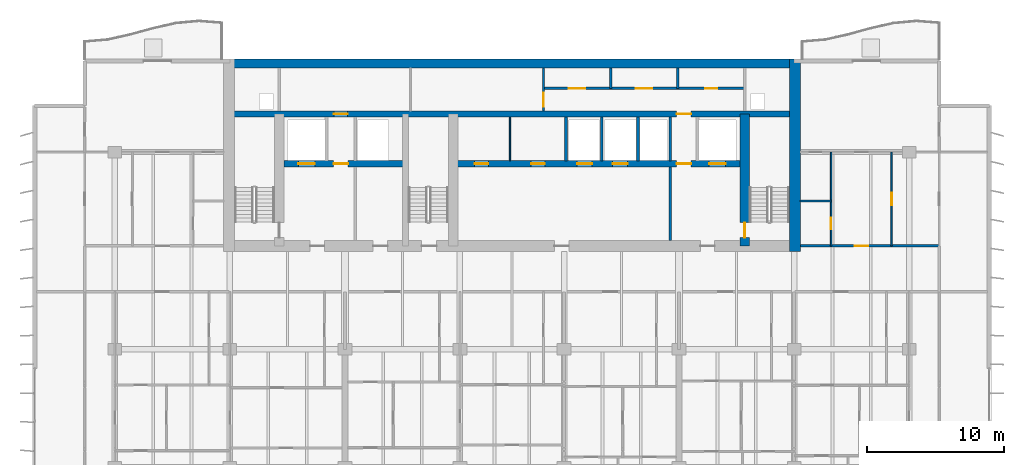
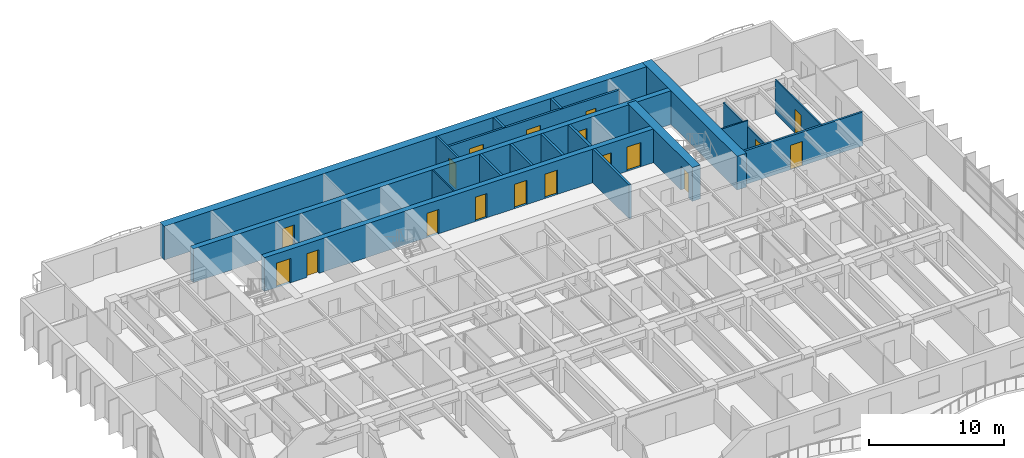
# One storey, part 13 of 20: 19 walls, 18 doors, 18 openings.
"""IFC4 building model written with IfcOpenShell, lengths in metres."""

from ifc_helpers import new_model, si_unit, direction, frame, frame_2d, origin, place, context, subcontext, project, spatial, rectangle, extrude, material, layer, layer_set, type_object, element, fill, save


model = new_model("IFC4")

# Units and contexts
model_context = context("Model", 3, precision=1e-05, world=origin(), true_north=direction((0.0, 1.0)))
body_context = subcontext(model_context, "Body", "Model", "MODEL_VIEW")
ifc_project = project(units=[si_unit("LENGTHUNIT", "METRE"), si_unit("AREAUNIT", "SQUARE_METRE"), si_unit("VOLUMEUNIT", "CUBIC_METRE"), si_unit("PLANEANGLEUNIT", "RADIAN"), si_unit("MASSUNIT", "GRAM", prefix="KILO")], contexts=[model_context])

# Site, building, storey
site_placement = place(None, origin())
site = spatial("IfcSite", under=ifc_project, at=site_placement, CompositionType="ELEMENT")
building_placement = place(site_placement, origin())
building = spatial("IfcBuilding", under=site, at=building_placement, Name="Caelmar Bay Residences", CompositionType="ELEMENT")
storey_placement = place(building_placement, frame((0.0, 0.0, 119.10009765625)))
storey = spatial("IfcBuildingStorey", under=building, at=storey_placement, Name="L32", CompositionType="ELEMENT", Elevation=119.10009765625)

# Wall, opening, door
ifc_material_1 = material(Name="Concrete f'c 55 MPa (8,000 psi)", Category="concrete")
ifc_layer_1 = layer(ifc_material_1, 0.699951171875)
ifc_layer_set_1 = layer_set([ifc_layer_1], Name="Concrete f'c 55 MPa (8,000 psi)")
wall_type_1 = type_object("IfcWallType", Name="SW-COR-700", PredefinedType="SHEAR", material=ifc_layer_set_1)
wall_1_placement = place(storey_placement, frame((55.89990234375, 36.949951171875, 0.0), z_axis=(0.0, 0.0, 1.0), x_axis=(0.0, 1.0, 0.0)))
wall_1 = element("IfcWall", 1, at=wall_1_placement, inside=storey, type_object=wall_type_1, Name="L32 Core Structural Web Wall ST2W", PredefinedType="SHEAR", context=body_context, shape_type="SweptSolid", body=[
    extrude(rectangle(XDim=9.625, YDim=0.699951171875, at=frame_2d((4.8125, 0.0))), origin(), (0.0, 0.0, 1.0), 3.0498046875),
])
opening_1_placement = place(wall_1_placement, frame((0.60009765625, 0.0, 0.0)))
opening_1 = element("IfcOpeningElement", 2, at=opening_1_placement, cuts=wall_1, Name="Opening D-L32-110", PredefinedType="OPENING", context=body_context, shape_type="SweptSolid", body=[
    extrude(rectangle(XDim=1.10009765625, YDim=2.14990234375, at=frame_2d((0.550048828125, 1.074951171875))), frame((0.0, 0.35986328125, 0.0), z_axis=(0.0, -1.0, 0.0), x_axis=(1.0, 0.0, 0.0)), (0.0, 0.0, 1.0), 0.719970703125),
])
ifc_material_2 = material(Name="Fire-rated steel and walnut architectural door assembly", Category="steel")
ifc_layer_2 = layer(ifc_material_2, 0.050048828125)
ifc_layer_set_2 = layer_set([ifc_layer_2], Name="Fire-rated steel and walnut architectural door assembly")
door_type_1 = type_object("IfcDoorType", Name="D-STAIR-1100", OperationType="NOTDEFINED", PredefinedType="DOOR", material=ifc_layer_set_2)
door_1_placement = place(opening_1_placement, origin())
door_1 = element("IfcDoor", 3, at=door_1_placement, inside=storey, type_object=door_type_1, Name="L32 Firefighting Lobby East Door", OperationType="SINGLE_SWING_RIGHT", OverallHeight=2.14990234375, OverallWidth=1.10009765625, PredefinedType="DOOR", context=body_context, shape_type="SweptSolid", body=[
    extrude(rectangle(XDim=1.10009765625, YDim=2.14990234375, at=frame_2d((0.550048828125, 1.074951171875))), frame((0.0, 0.02490234375, 0.0), z_axis=(0.0, -1.0, 0.0), x_axis=(1.0, 0.0, 0.0)), (0.0, 0.0, 1.0), 0.050048828125),
])
fill(opening_1, door_1)

# Walls
ifc_material_3 = material(Name="Concrete f'c 70 MPa (10,000 psi)", Category="concrete")
ifc_layer_3 = layer(ifc_material_3, 0.800048828125)
ifc_layer_set_3 = layer_set([ifc_layer_3], Name="Concrete f'c 70 MPa (10,000 psi)")
wall_type_2 = type_object("IfcWallType", Name="SW-COR-800", PredefinedType="SHEAR", material=ifc_layer_set_3)
wall_2_placement = place(storey_placement, frame((59.550048828125, 36.550048828125, 0.0), z_axis=(0.0, 0.0, 1.0), x_axis=(0.0, 1.0, 0.0)))
element("IfcWall", 4, at=wall_2_placement, inside=storey, type_object=wall_type_2, Name="L32 Rear Core East Shear Wall", PredefinedType="SHEAR", context=body_context, shape_type="SweptSolid", body=[
    extrude(rectangle(XDim=14.050048828125, YDim=0.800048828125, at=frame_2d((7.02490234375, 0.0))), origin(), (0.0, 0.0, 1.0), 3.0498046875),
])
ifc_layer_4 = layer(ifc_material_1, 0.64990234375)
ifc_layer_set_4 = layer_set([ifc_layer_4], Name="Concrete f'c 55 MPa (8,000 psi)")
wall_type_3 = type_object("IfcWallType", Name="SW-CORN-650", PredefinedType="SHEAR", material=ifc_layer_set_4)
wall_3_placement = place(storey_placement, frame((17.85009765625, 50.27490234375, 0.0), z_axis=(0.0, 0.0, 1.0), x_axis=(1.0, 0.0, 0.0)))
element("IfcWall", 5, at=wall_3_placement, inside=storey, type_object=wall_type_3, Name="L32 Rear Core North Shear Wall", PredefinedType="SHEAR", context=body_context, shape_type="SweptSolid", body=[
    extrude(rectangle(XDim=42.099853515625, YDim=0.64990234375, at=frame_2d((21.0498046875, 0.0))), origin(), (0.0, 0.0, 1.0), 3.0498046875),
])

# Wall, openings, doors
ifc_layer_5 = layer(ifc_material_3, 0.449951171875)
ifc_layer_set_5 = layer_set([ifc_layer_5], Name="Concrete f'c 70 MPa (10,000 psi)")
wall_type_4 = type_object("IfcWallType", Name="SW-WEB-450", PredefinedType="SHEAR", material=ifc_layer_set_5)
wall_4_placement = place(storey_placement, frame((22.25, 42.949951171875, 0.0), z_axis=(0.0, 0.0, 1.0), x_axis=(1.0, 0.0, 0.0)))
wall_4 = element("IfcWall", 6, at=wall_4_placement, inside=storey, type_object=wall_type_4, Name="L32 Core Structural Web Wall LFR", PredefinedType="SHEAR", context=body_context, shape_type="SweptSolid", body=[
    extrude(rectangle(XDim=33.300048828125, YDim=0.449951171875, at=frame_2d((16.64990234375, 0.0))), origin(), (0.0, 0.0, 1.0), 3.0498046875),
])
opening_2_placement = place(wall_4_placement, frame((1.050048828125, 0.0, 0.0)))
opening_2 = element("IfcOpeningElement", 7, at=opening_2_placement, cuts=wall_4, Name="Opening LD2", PredefinedType="OPENING", context=body_context, shape_type="SweptSolid", body=[
    extrude(rectangle(XDim=1.199951171875, YDim=2.199951171875, at=frame_2d((0.60009765625, 1.10009765625))), frame((0.0, 0.23486328125, 0.0), z_axis=(0.0, -1.0, 0.0), x_axis=(1.0, 0.0, 0.0)), (0.0, 0.0, 1.0), 0.469970703125),
])
opening_3_placement = place(wall_4_placement, frame((31.050048828125, 0.0, 0.0)))
opening_3 = element("IfcOpeningElement", 8, at=opening_3_placement, cuts=wall_4, Name="Opening LD2", PredefinedType="OPENING", context=body_context, shape_type="SweptSolid", body=[
    extrude(rectangle(XDim=1.199951171875, YDim=2.199951171875, at=frame_2d((0.60009765625, 1.10009765625))), frame((0.0, 0.23486328125, 0.0), z_axis=(0.0, -1.0, 0.0), x_axis=(1.0, 0.0, 0.0)), (0.0, 0.0, 1.0), 0.469970703125),
])
opening_4_placement = place(wall_4_placement, frame((21.39990234375, 0.0, 0.0)))
opening_4 = element("IfcOpeningElement", 9, at=opening_4_placement, cuts=wall_4, Name="Opening LD1", PredefinedType="OPENING", context=body_context, shape_type="SweptSolid", body=[
    extrude(rectangle(XDim=1.10009765625, YDim=2.199951171875, at=frame_2d((0.550048828125, 1.10009765625))), frame((0.0, 0.23486328125, 0.0), z_axis=(0.0, -1.0, 0.0), x_axis=(1.0, 0.0, 0.0)), (0.0, 0.0, 1.0), 0.469970703125),
])
opening_5_placement = place(wall_4_placement, frame((24.0, 0.0, 0.0)))
opening_5 = element("IfcOpeningElement", 10, at=opening_5_placement, cuts=wall_4, Name="Opening LD1", PredefinedType="OPENING", context=body_context, shape_type="SweptSolid", body=[
    extrude(rectangle(XDim=1.10009765625, YDim=2.199951171875, at=frame_2d((0.550048828125, 1.10009765625))), frame((0.0, 0.23486328125, 0.0), z_axis=(0.0, -1.0, 0.0), x_axis=(1.0, 0.0, 0.0)), (0.0, 0.0, 1.0), 0.469970703125),
])
opening_6_placement = place(wall_4_placement, frame((3.625, 0.0, 0.0)))
opening_6 = element("IfcOpeningElement", 11, at=opening_6_placement, cuts=wall_4, Name="Opening D-L32-108", PredefinedType="OPENING", context=body_context, shape_type="SweptSolid", body=[
    extrude(rectangle(XDim=1.050048828125, YDim=2.14990234375, at=frame_2d((0.52490234375, 1.074951171875))), frame((0.0, 0.23486328125, 0.0), z_axis=(0.0, -1.0, 0.0), x_axis=(1.0, 0.0, 0.0)), (0.0, 0.0, 1.0), 0.469970703125),
])
opening_7_placement = place(wall_4_placement, frame((28.675048828125, 0.0, 0.0)))
opening_7 = element("IfcOpeningElement", 12, at=opening_7_placement, cuts=wall_4, Name="Opening D-L32-111", PredefinedType="OPENING", context=body_context, shape_type="SweptSolid", body=[
    extrude(rectangle(XDim=1.050048828125, YDim=2.14990234375, at=frame_2d((0.52490234375, 1.074951171875))), frame((0.0, 0.23486328125, 0.0), z_axis=(0.0, -1.0, 0.0), x_axis=(1.0, 0.0, 0.0)), (0.0, 0.0, 1.0), 0.469970703125),
])
opening_8_placement = place(wall_4_placement, frame((13.925048828125, 0.0, 0.0)))
opening_8 = element("IfcOpeningElement", 13, at=opening_8_placement, cuts=wall_4, Name="Opening D-L32-114", PredefinedType="OPENING", context=body_context, shape_type="SweptSolid", body=[
    extrude(rectangle(XDim=1.0, YDim=2.199951171875, at=frame_2d((0.5, 1.10009765625))), frame((0.0, 0.23486328125, 0.0), z_axis=(0.0, -1.0, 0.0), x_axis=(1.0, 0.0, 0.0)), (0.0, 0.0, 1.0), 0.469970703125),
])
opening_9_placement = place(wall_4_placement, frame((18.050048828125, 0.0, 0.0)))
opening_9 = element("IfcOpeningElement", 14, at=opening_9_placement, cuts=wall_4, Name="Opening D-L32-115", PredefinedType="OPENING", context=body_context, shape_type="SweptSolid", body=[
    extrude(rectangle(XDim=1.0, YDim=2.199951171875, at=frame_2d((0.5, 1.10009765625))), frame((0.0, 0.23486328125, 0.0), z_axis=(0.0, -1.0, 0.0), x_axis=(1.0, 0.0, 0.0)), (0.0, 0.0, 1.0), 0.469970703125),
])
ifc_layer_6 = layer(ifc_material_2, 0.050048828125)
ifc_layer_set_6 = layer_set([ifc_layer_6], Name="Fire-rated steel and walnut architectural door assembly")
door_type_2 = type_object("IfcDoorType", Name="D-FSAE-1050", OperationType="NOTDEFINED", PredefinedType="DOOR", material=ifc_layer_set_6)
door_2_placement = place(opening_6_placement, origin())
door_2 = element("IfcDoor", 15, at=door_2_placement, inside=storey, type_object=door_type_2, Name="L32 Firefighting Lobby West Door", OperationType="SINGLE_SWING_RIGHT", OverallHeight=2.14990234375, OverallWidth=1.050048828125, PredefinedType="DOOR", context=body_context, shape_type="SweptSolid", body=[
    extrude(rectangle(XDim=1.050048828125, YDim=2.14990234375, at=frame_2d((0.52490234375, 1.074951171875))), frame((0.0, 0.02490234375, 0.0), z_axis=(0.0, -1.0, 0.0), x_axis=(1.0, 0.0, 0.0)), (0.0, 0.0, 1.0), 0.050048828125),
])
fill(opening_6, door_2)
door_3_placement = place(opening_7_placement, origin())
door_3 = element("IfcDoor", 16, at=door_3_placement, inside=storey, type_object=door_type_2, Name="L32 Firefighting Lobby East Door", OperationType="SINGLE_SWING_LEFT", OverallHeight=2.14990234375, OverallWidth=1.050048828125, PredefinedType="DOOR", context=body_context, shape_type="SweptSolid", body=[
    extrude(rectangle(XDim=1.050048828125, YDim=2.14990234375, at=frame_2d((0.52490234375, 1.074951171875))), frame((0.0, 0.02490234375, 0.0), z_axis=(0.0, -1.0, 0.0), x_axis=(1.0, 0.0, 0.0)), (0.0, 0.0, 1.0), 0.050048828125),
])
fill(opening_7, door_3)
ifc_material_4 = material(Name="Brushed bronze stainless-steel fire-rated lift landing doors", Category="steel")
ifc_layer_7 = layer(ifc_material_4, 0.050048828125)
ifc_layer_set_7 = layer_set([ifc_layer_7], Name="Brushed bronze stainless-steel fire-rated lift landing doors")
door_type_3 = type_object("IfcDoorType", Name="D-LND-1100", OperationType="DOUBLE_DOOR_SLIDING", PredefinedType="DOOR", material=ifc_layer_set_7)
door_4_placement = place(opening_4_placement, origin())
door_4 = element("IfcDoor", 17, at=door_4_placement, inside=storey, type_object=door_type_3, Name="L32 LP4 Sliding Landing Door", OperationType="DOUBLE_DOOR_SLIDING", OverallHeight=2.199951171875, OverallWidth=1.10009765625, PredefinedType="DOOR", context=body_context, shape_type="SweptSolid", body=[
    extrude(rectangle(XDim=1.10009765625, YDim=2.199951171875, at=frame_2d((0.550048828125, 1.10009765625))), frame((0.0, 0.02490234375, 0.0), z_axis=(0.0, -1.0, 0.0), x_axis=(1.0, 0.0, 0.0)), (0.0, 0.0, 1.0), 0.050048828125),
])
fill(opening_4, door_4)
door_5_placement = place(opening_5_placement, origin())
door_5 = element("IfcDoor", 18, at=door_5_placement, inside=storey, type_object=door_type_3, Name="L32 LP5 Sliding Landing Door", OperationType="DOUBLE_DOOR_SLIDING", OverallHeight=2.199951171875, OverallWidth=1.10009765625, PredefinedType="DOOR", context=body_context, shape_type="SweptSolid", body=[
    extrude(rectangle(XDim=1.10009765625, YDim=2.199951171875, at=frame_2d((0.550048828125, 1.10009765625))), frame((0.0, 0.02490234375, 0.0), z_axis=(0.0, -1.0, 0.0), x_axis=(1.0, 0.0, 0.0)), (0.0, 0.0, 1.0), 0.050048828125),
])
fill(opening_5, door_5)
ifc_material_5 = material(Name="Brushed stainless-steel FSAE sliding landing door", Category="steel")
ifc_layer_8 = layer(ifc_material_5, 0.050048828125)
ifc_layer_set_8 = layer_set([ifc_layer_8], Name="Brushed stainless-steel FSAE sliding landing door")
door_type_4 = type_object("IfcDoorType", Name="D-LND-1200", OperationType="DOUBLE_DOOR_SLIDING", PredefinedType="DOOR", material=ifc_layer_set_8)
door_6_placement = place(opening_2_placement, origin())
door_6 = element("IfcDoor", 19, at=door_6_placement, inside=storey, type_object=door_type_4, Name="L32 LF1 Sliding Landing Door", OperationType="DOUBLE_DOOR_SLIDING", OverallHeight=2.199951171875, OverallWidth=1.199951171875, PredefinedType="DOOR", context=body_context, shape_type="SweptSolid", body=[
    extrude(rectangle(XDim=1.199951171875, YDim=2.199951171875, at=frame_2d((0.60009765625, 1.10009765625))), frame((0.0, 0.02490234375, 0.0), z_axis=(0.0, -1.0, 0.0), x_axis=(1.0, 0.0, 0.0)), (0.0, 0.0, 1.0), 0.050048828125),
])
fill(opening_2, door_6)
door_7_placement = place(opening_3_placement, origin())
door_7 = element("IfcDoor", 20, at=door_7_placement, inside=storey, type_object=door_type_4, Name="L32 LF2 Sliding Landing Door", OperationType="DOUBLE_DOOR_SLIDING", OverallHeight=2.199951171875, OverallWidth=1.199951171875, PredefinedType="DOOR", context=body_context, shape_type="SweptSolid", body=[
    extrude(rectangle(XDim=1.199951171875, YDim=2.199951171875, at=frame_2d((0.60009765625, 1.10009765625))), frame((0.0, 0.02490234375, 0.0), z_axis=(0.0, -1.0, 0.0), x_axis=(1.0, 0.0, 0.0)), (0.0, 0.0, 1.0), 0.050048828125),
])
fill(opening_3, door_7)
ifc_layer_9 = layer(ifc_material_2, 0.050048828125)
ifc_layer_set_9 = layer_set([ifc_layer_9], Name="Fire-rated steel and walnut architectural door assembly")
door_type_5 = type_object("IfcDoorType", Name="D-UNIT-1000", OperationType="NOTDEFINED", PredefinedType="DOOR", material=ifc_layer_set_9)
door_8_placement = place(opening_8_placement, origin())
door_8 = element("IfcDoor", 21, at=door_8_placement, inside=storey, type_object=door_type_5, Name="L32 Residents Study Room Door", OperationType="SINGLE_SWING_RIGHT", OverallHeight=2.199951171875, OverallWidth=1.0, PredefinedType="DOOR", context=body_context, shape_type="SweptSolid", body=[
    extrude(rectangle(XDim=1.0, YDim=2.199951171875, at=frame_2d((0.5, 1.10009765625))), frame((0.0, 0.02490234375, 0.0), z_axis=(0.0, -1.0, 0.0), x_axis=(1.0, 0.0, 0.0)), (0.0, 0.0, 1.0), 0.050048828125),
])
fill(opening_8, door_8)
door_9_placement = place(opening_9_placement, origin())
door_9 = element("IfcDoor", 22, at=door_9_placement, inside=storey, type_object=door_type_5, Name="L32 Wine Tasting Room Door", OperationType="SINGLE_SWING_LEFT", OverallHeight=2.199951171875, OverallWidth=1.0, PredefinedType="DOOR", context=body_context, shape_type="SweptSolid", body=[
    extrude(rectangle(XDim=1.0, YDim=2.199951171875, at=frame_2d((0.5, 1.10009765625))), frame((0.0, 0.02490234375, 0.0), z_axis=(0.0, -1.0, 0.0), x_axis=(1.0, 0.0, 0.0)), (0.0, 0.0, 1.0), 0.050048828125),
])
fill(opening_9, door_9)

wall_5_placement = place(storey_placement, frame((18.25, 46.574951171875, 0.0), z_axis=(0.0, 0.0, 1.0), x_axis=(1.0, 0.0, 0.0)))
wall_5 = element("IfcWall", 23, at=wall_5_placement, inside=storey, type_object=wall_type_4, Name="L32 Core Structural Web Wall SRVS", PredefinedType="SHEAR", context=body_context, shape_type="SweptSolid", body=[
    extrude(rectangle(XDim=41.300048828125, YDim=0.449951171875, at=frame_2d((20.64990234375, 0.0))), origin(), (0.0, 0.0, 1.0), 3.0498046875),
])
opening_10_placement = place(wall_5_placement, frame((7.64990234375, 0.0, 0.0)))
opening_10 = element("IfcOpeningElement", 24, at=opening_10_placement, cuts=wall_5, Name="Opening D-L32-116", PredefinedType="OPENING", context=body_context, shape_type="SweptSolid", body=[
    extrude(rectangle(XDim=1.0, YDim=2.199951171875, at=frame_2d((0.5, 1.10009765625))), frame((0.0, 0.23486328125, 0.0), z_axis=(0.0, -1.0, 0.0), x_axis=(1.0, 0.0, 0.0)), (0.0, 0.0, 1.0), 0.469970703125),
])
opening_11_placement = place(wall_5_placement, frame((32.675048828125, 0.0, 0.0)))
opening_11 = element("IfcOpeningElement", 25, at=opening_11_placement, cuts=wall_5, Name="Opening D-L32-117", PredefinedType="OPENING", context=body_context, shape_type="SweptSolid", body=[
    extrude(rectangle(XDim=1.050048828125, YDim=2.14990234375, at=frame_2d((0.52490234375, 1.074951171875))), frame((0.0, 0.23486328125, 0.0), z_axis=(0.0, -1.0, 0.0), x_axis=(1.0, 0.0, 0.0)), (0.0, 0.0, 1.0), 0.469970703125),
])
door_10_placement = place(opening_11_placement, origin())
door_10 = element("IfcDoor", 26, at=door_10_placement, inside=storey, type_object=door_type_2, Name="L32 East Core Service Corridor Door", OperationType="SINGLE_SWING_LEFT", OverallHeight=2.14990234375, OverallWidth=1.050048828125, PredefinedType="DOOR", context=body_context, shape_type="SweptSolid", body=[
    extrude(rectangle(XDim=1.050048828125, YDim=2.14990234375, at=frame_2d((0.52490234375, 1.074951171875))), frame((0.0, 0.02490234375, 0.0), z_axis=(0.0, -1.0, 0.0), x_axis=(1.0, 0.0, 0.0)), (0.0, 0.0, 1.0), 0.050048828125),
])
fill(opening_11, door_10)
door_11_placement = place(opening_10_placement, origin())
door_11 = element("IfcDoor", 27, at=door_11_placement, inside=storey, type_object=door_type_5, Name="L32 Package Concierge Office Door", OperationType="SINGLE_SWING_RIGHT", OverallHeight=2.199951171875, OverallWidth=1.0, PredefinedType="DOOR", context=body_context, shape_type="SweptSolid", body=[
    extrude(rectangle(XDim=1.0, YDim=2.199951171875, at=frame_2d((0.5, 1.10009765625))), frame((0.0, 0.02490234375, 0.0), z_axis=(0.0, -1.0, 0.0), x_axis=(1.0, 0.0, 0.0)), (0.0, 0.0, 1.0), 0.050048828125),
])
fill(opening_10, door_11)

# Wall, opening, door
ifc_material_6 = material(Name="Double-stud acoustic fire-rated gypsum partition 180 mm")
ifc_layer_10 = layer(ifc_material_6, 0.179931640625)
ifc_layer_set_10 = layer_set([ifc_layer_10], Name="Double-stud acoustic fire-rated gypsum partition 180 mm")
wall_type_5 = type_object("IfcWallType", Name="W-COR-200", PredefinedType="PARTITIONING", material=ifc_layer_set_10)
wall_6_placement = place(storey_placement, frame((41.199951171875, 46.794921875, 0.0), z_axis=(0.0, 0.0, 1.0), x_axis=(0.0, 1.0, 0.0)))
wall_6 = element("IfcWall", 28, at=wall_6_placement, inside=storey, type_object=wall_type_5, Name="L32 Partition Wall V056", PredefinedType="PARTITIONING", context=body_context, shape_type="SweptSolid", body=[
    extrude(rectangle(XDim=3.16015625, YDim=0.179931640625, at=frame_2d((1.580078125, 0.0))), origin(), (0.0, 0.0, 1.0), 3.0498046875),
])
opening_12_placement = place(wall_6_placement, frame((0.327392578125, 0.0, 0.0)))
opening_12 = element("IfcOpeningElement", 29, at=opening_12_placement, cuts=wall_6, Name="Opening D-L32-118", PredefinedType="OPENING", context=body_context, shape_type="SweptSolid", body=[
    extrude(rectangle(XDim=1.0, YDim=2.199951171875, at=frame_2d((0.5, 1.10009765625))), frame((0.0, 0.099853515625, 0.0), z_axis=(0.0, -1.0, 0.0), x_axis=(1.0, 0.0, 0.0)), (0.0, 0.0, 1.0), 0.199951171875),
])
door_12_placement = place(opening_12_placement, origin())
door_12 = element("IfcDoor", 30, at=door_12_placement, inside=storey, type_object=door_type_5, Name="L32 Engineering Control Office Door", OperationType="SINGLE_SWING_RIGHT", OverallHeight=2.199951171875, OverallWidth=1.0, PredefinedType="DOOR", context=body_context, shape_type="SweptSolid", body=[
    extrude(rectangle(XDim=1.0, YDim=2.199951171875, at=frame_2d((0.5, 1.10009765625))), frame((0.0, 0.02490234375, 0.0), z_axis=(0.0, -1.0, 0.0), x_axis=(1.0, 0.0, 0.0)), (0.0, 0.0, 1.0), 0.050048828125),
])
fill(opening_12, door_12)

# Walls
for number, where, z_axis, x_axis, name in (
    (31, (46.10009765625, 48.449951171875, 0.0), (0.0, 0.0, 1.0), (0.0, 1.0, 0.0), "L32 Partition Wall V066"),
    (32, (51.0, 48.449951171875, 0.0), (0.0, 0.0, 1.0), (0.0, 1.0, 0.0), "L32 Partition Wall V078"),
):
    element("IfcWall", number, at=place(storey_placement, frame(where, z_axis=z_axis, x_axis=x_axis)), inside=storey, type_object=wall_type_5, Name=name, PredefinedType="PARTITIONING", context=body_context, shape_type="SweptSolid", body=[
        extrude(rectangle(XDim=1.505126953125, YDim=0.179931640625, at=frame_2d((0.75244140625, 0.0))), origin(), (0.0, 0.0, 1.0), 3.0498046875),
    ])

# Wall, opening, door
wall_7_placement = place(storey_placement, frame((59.955078125, 36.949951171875, 0.0), z_axis=(0.0, 0.0, 1.0), x_axis=(1.0, 0.0, 0.0)))
wall_7 = element("IfcWall", 33, at=wall_7_placement, inside=storey, type_object=wall_type_5, Name="L32 Partition Wall H149", PredefinedType="PARTITIONING", context=body_context, shape_type="SweptSolid", body=[
    extrude(rectangle(XDim=10.14501953125, YDim=0.179931640625, at=frame_2d((5.072509765625, 0.0))), origin(), (0.0, 0.0, 1.0), 3.0498046875),
])
opening_13_placement = place(wall_7_placement, frame((3.95703125, 0.0, 0.0)))
opening_13 = element("IfcOpeningElement", 34, at=opening_13_placement, cuts=wall_7, Name="Opening D-L32-175", PredefinedType="OPENING", context=body_context, shape_type="SweptSolid", body=[
    extrude(rectangle(XDim=1.0, YDim=2.199951171875, at=frame_2d((0.5, 1.10009765625))), frame((0.0, 0.099853515625, 0.0), z_axis=(0.0, -1.0, 0.0), x_axis=(1.0, 0.0, 0.0)), (0.0, 0.0, 1.0), 0.199951171875),
])
door_13_placement = place(opening_13_placement, origin())
door_13 = element("IfcDoor", 35, at=door_13_placement, inside=storey, type_object=door_type_5, Name="L32 Residence EA Kitchen Door", OperationType="SINGLE_SWING_LEFT", OverallHeight=2.199951171875, OverallWidth=1.0, PredefinedType="DOOR", context=body_context, shape_type="SweptSolid", body=[
    extrude(rectangle(XDim=1.0, YDim=2.199951171875, at=frame_2d((0.5, 1.10009765625))), frame((0.0, 0.02490234375, 0.0), z_axis=(0.0, -1.0, 0.0), x_axis=(1.0, 0.0, 0.0)), (0.0, 0.0, 1.0), 0.050048828125),
])
fill(opening_13, door_13)

# Wall, openings, doors
wall_8_placement = place(storey_placement, frame((41.199951171875, 48.449951171875, 0.0), z_axis=(0.0, 0.0, 1.0), x_axis=(1.0, 0.0, 0.0)))
wall_8 = element("IfcWall", 36, at=wall_8_placement, inside=storey, type_object=wall_type_5, Name="L32 Partition Wall H154", PredefinedType="PARTITIONING", context=body_context, shape_type="SweptSolid", body=[
    extrude(rectangle(XDim=14.699951171875, YDim=0.179931640625, at=frame_2d((7.35009765625, 0.0))), origin(), (0.0, 0.0, 1.0), 3.0498046875),
])
opening_14_placement = place(wall_8_placement, frame((1.85009765625, 0.0, 0.0)))
opening_14 = element("IfcOpeningElement", 37, at=opening_14_placement, cuts=wall_8, Name="Opening D-L32-119", PredefinedType="OPENING", context=body_context, shape_type="SweptSolid", body=[
    extrude(rectangle(XDim=1.199951171875, YDim=2.199951171875, at=frame_2d((0.60009765625, 1.10009765625))), frame((0.0, 0.099853515625, 0.0), z_axis=(0.0, -1.0, 0.0), x_axis=(1.0, 0.0, 0.0)), (0.0, 0.0, 1.0), 0.199951171875),
])
opening_15_placement = place(wall_8_placement, frame((6.75, 0.0, 0.0)))
opening_15 = element("IfcOpeningElement", 38, at=opening_15_placement, cuts=wall_8, Name="Opening D-L32-120", PredefinedType="OPENING", context=body_context, shape_type="SweptSolid", body=[
    extrude(rectangle(XDim=1.199951171875, YDim=2.199951171875, at=frame_2d((0.60009765625, 1.10009765625))), frame((0.0, 0.099853515625, 0.0), z_axis=(0.0, -1.0, 0.0), x_axis=(1.0, 0.0, 0.0)), (0.0, 0.0, 1.0), 0.199951171875),
])
opening_16_placement = place(wall_8_placement, frame((11.824951171875, 0.0, 0.0)))
opening_16 = element("IfcOpeningElement", 39, at=opening_16_placement, cuts=wall_8, Name="Opening D-L32-121", PredefinedType="OPENING", context=body_context, shape_type="SweptSolid", body=[
    extrude(rectangle(XDim=0.85009765625, YDim=2.10009765625, at=frame_2d((0.425048828125, 1.050048828125))), frame((0.0, 0.099853515625, 0.0), z_axis=(0.0, -1.0, 0.0), x_axis=(1.0, 0.0, 0.0)), (0.0, 0.0, 1.0), 0.199951171875),
])
ifc_layer_11 = layer(ifc_material_2, 0.050048828125)
ifc_layer_set_11 = layer_set([ifc_layer_11], Name="Fire-rated steel and walnut architectural door assembly")
door_type_6 = type_object("IfcDoorType", Name="D-CORE-850", OperationType="NOTDEFINED", PredefinedType="DOOR", material=ifc_layer_set_11)
door_14_placement = place(opening_16_placement, origin())
door_14 = element("IfcDoor", 40, at=door_14_placement, inside=storey, type_object=door_type_6, Name="L32 Accessible Staff WC Door", OperationType="SINGLE_SWING_LEFT", OverallHeight=2.10009765625, OverallWidth=0.85009765625, PredefinedType="DOOR", context=body_context, shape_type="SweptSolid", body=[
    extrude(rectangle(XDim=0.85009765625, YDim=2.10009765625, at=frame_2d((0.425048828125, 1.050048828125))), frame((0.0, 0.02490234375, 0.0), z_axis=(0.0, -1.0, 0.0), x_axis=(1.0, 0.0, 0.0)), (0.0, 0.0, 1.0), 0.050048828125),
])
fill(opening_16, door_14)
ifc_layer_12 = layer(ifc_material_2, 0.050048828125)
ifc_layer_set_12 = layer_set([ifc_layer_12], Name="Fire-rated steel and walnut architectural door assembly")
door_type_7 = type_object("IfcDoorType", Name="D-PLANT-1200", OperationType="NOTDEFINED", PredefinedType="DOOR", material=ifc_layer_set_12)
door_15_placement = place(opening_14_placement, origin())
door_15 = element("IfcDoor", 41, at=door_15_placement, inside=storey, type_object=door_type_7, Name="L32 Electrical Closet Door", OperationType="SINGLE_SWING_LEFT", OverallHeight=2.199951171875, OverallWidth=1.199951171875, PredefinedType="DOOR", context=body_context, shape_type="SweptSolid", body=[
    extrude(rectangle(XDim=1.199951171875, YDim=2.199951171875, at=frame_2d((0.60009765625, 1.10009765625))), frame((0.0, 0.02490234375, 0.0), z_axis=(0.0, -1.0, 0.0), x_axis=(1.0, 0.0, 0.0)), (0.0, 0.0, 1.0), 0.050048828125),
])
fill(opening_14, door_15)
door_16_placement = place(opening_15_placement, origin())
door_16 = element("IfcDoor", 42, at=door_16_placement, inside=storey, type_object=door_type_7, Name="L32 Housekeeping Linen Closet Door", OperationType="SINGLE_SWING_RIGHT", OverallHeight=2.199951171875, OverallWidth=1.199951171875, PredefinedType="DOOR", context=body_context, shape_type="SweptSolid", body=[
    extrude(rectangle(XDim=1.199951171875, YDim=2.199951171875, at=frame_2d((0.60009765625, 1.10009765625))), frame((0.0, 0.02490234375, 0.0), z_axis=(0.0, -1.0, 0.0), x_axis=(1.0, 0.0, 0.0)), (0.0, 0.0, 1.0), 0.050048828125),
])
fill(opening_15, door_16)

# Walls
ifc_material_7 = material(Name="Fire-rated masonry and gypsum shaftliner assembly 200 mm", Category="masonry")
ifc_layer_13 = layer(ifc_material_7, 0.199951171875)
ifc_layer_set_13 = layer_set([ifc_layer_13], Name="Fire-rated masonry and gypsum shaftliner assembly 200 mm")
wall_type_6 = type_object("IfcWallType", Name="W-FSAE-200", PredefinedType="PARTITIONING", material=ifc_layer_set_13)
for number, where, z_axis, x_axis, name in (
    (43, (42.85009765625, 43.169921875, 0.0), (0.0, 0.0, 1.0), (0.0, 1.0, 0.0), "L32 Partition Wall V064"),
    (44, (45.449951171875, 43.169921875, 0.0), (0.0, 0.0, 1.0), (0.0, 1.0, 0.0), "L32 Partition Wall V065"),
    (45, (48.10009765625, 43.169921875, 0.0), (0.0, 0.0, 1.0), (0.0, 1.0, 0.0), "L32 Partition Wall V072"),
):
    element("IfcWall", number, at=place(storey_placement, frame(where, z_axis=z_axis, x_axis=x_axis)), inside=storey, type_object=wall_type_6, Name=name, PredefinedType="PARTITIONING", context=body_context, shape_type="SweptSolid", body=[
        extrude(rectangle(XDim=3.18505859375, YDim=0.199951171875, at=frame_2d((1.592529296875, 0.0))), origin(), (0.0, 0.0, 1.0), 3.0498046875),
    ])
wall_9_placement = place(storey_placement, frame((50.449951171875, 37.344970703125, 0.0), z_axis=(0.0, 0.0, 1.0), x_axis=(0.0, 1.0, 0.0)))
element("IfcWall", 46, at=wall_9_placement, inside=storey, type_object=wall_type_6, Name="L32 Partition Wall V076", PredefinedType="PARTITIONING", context=body_context, shape_type="SweptSolid", body=[
    extrude(rectangle(XDim=5.385009765625, YDim=0.199951171875, at=frame_2d((2.6923828125, 0.0))), origin(), (0.0, 0.0, 1.0), 3.0498046875),
])
wall_10_placement = place(storey_placement, frame((50.449951171875, 43.169921875, 0.0), z_axis=(0.0, 0.0, 1.0), x_axis=(0.0, 1.0, 0.0)))
element("IfcWall", 47, at=wall_10_placement, inside=storey, type_object=wall_type_6, Name="L32 Partition Wall V077", PredefinedType="PARTITIONING", context=body_context, shape_type="SweptSolid", body=[
    extrude(rectangle(XDim=3.18505859375, YDim=0.199951171875, at=frame_2d((1.592529296875, 0.0))), origin(), (0.0, 0.0, 1.0), 3.0498046875),
])
ifc_material_8 = material(Name="Anodised bronze framed acoustic sliding study partition 100 mm")
ifc_layer_14 = layer(ifc_material_8, 0.10009765625)
ifc_layer_set_14 = layer_set([ifc_layer_14], Name="Anodised bronze framed acoustic sliding study partition 100 mm")
wall_type_7 = type_object("IfcWallType", Name="W-MOV-100", PredefinedType="MOVABLE", material=ifc_layer_set_14)
wall_11_placement = place(storey_placement, frame((38.75, 43.169921875, 0.0), z_axis=(0.0, 0.0, 1.0), x_axis=(0.0, 1.0, 0.0)))
element("IfcWall", 48, at=wall_11_placement, inside=storey, type_object=wall_type_7, Name="L32 Partition Wall V053", PredefinedType="MOVABLE", context=body_context, shape_type="SweptSolid", body=[
    extrude(rectangle(XDim=3.18505859375, YDim=0.10009765625, at=frame_2d((1.592529296875, 0.0))), origin(), (0.0, 0.0, 1.0), 3.0498046875),
])

# Wall, opening, door
ifc_material_9 = material(Name="Acoustic metal-stud gypsum partition 120 mm")
ifc_layer_15 = layer(ifc_material_9, 0.1201171875)
ifc_layer_set_15 = layer_set([ifc_layer_15], Name="Acoustic metal-stud gypsum partition 120 mm")
wall_type_8 = type_object("IfcWallType", Name="W-PRT-120", PredefinedType="PARTITIONING", material=ifc_layer_set_15)
wall_12_placement = place(storey_placement, frame((62.199951171875, 36.949951171875, 0.0), z_axis=(0.0, 0.0, 1.0), x_axis=(0.0, 1.0, 0.0)))
wall_12 = element("IfcWall", 49, at=wall_12_placement, inside=storey, type_object=wall_type_8, Name="L32 Partition Wall V098", PredefinedType="PARTITIONING", context=body_context, shape_type="SweptSolid", body=[
    extrude(rectangle(XDim=6.85009765625, YDim=0.1201171875, at=frame_2d((3.425048828125, 0.0))), origin(), (0.0, 0.0, 1.0), 2.4990234375),
])
opening_17_placement = place(wall_12_placement, frame((1.218994140625, 0.0, 0.0)))
opening_17 = element("IfcOpeningElement", 50, at=opening_17_placement, cuts=wall_12, Name="Opening D-L32-177", PredefinedType="OPENING", context=body_context, shape_type="SweptSolid", body=[
    extrude(rectangle(XDim=0.85009765625, YDim=2.10009765625, at=frame_2d((0.425048828125, 1.050048828125))), frame((0.0, 0.070068359375, 0.0), z_axis=(0.0, -1.0, 0.0), x_axis=(1.0, 0.0, 0.0)), (0.0, 0.0, 1.0), 0.14013671875),
])
ifc_material_10 = material(Name="Solid walnut timber interior door leaf and frame", Category="wood")
ifc_layer_16 = layer(ifc_material_10, 0.050048828125)
ifc_layer_set_16 = layer_set([ifc_layer_16], Name="Solid walnut timber interior door leaf and frame")
door_type_8 = type_object("IfcDoorType", Name="D-BATH-850", OperationType="NOTDEFINED", PredefinedType="DOOR", material=ifc_layer_set_16)
door_17_placement = place(opening_17_placement, origin())
door_17 = element("IfcDoor", 51, at=door_17_placement, inside=storey, type_object=door_type_8, Name="L32 Residence EA Walk-In Closet Door", OperationType="SINGLE_SWING_LEFT", OverallHeight=2.10009765625, OverallWidth=0.85009765625, PredefinedType="DOOR", context=body_context, shape_type="SweptSolid", body=[
    extrude(rectangle(XDim=0.85009765625, YDim=2.10009765625, at=frame_2d((0.425048828125, 1.050048828125))), frame((0.0, 0.02490234375, 0.0), z_axis=(0.0, -1.0, 0.0), x_axis=(1.0, 0.0, 0.0)), (0.0, 0.0, 1.0), 0.050048828125),
])
fill(opening_17, door_17)

wall_13_placement = place(storey_placement, frame((66.6240234375, 36.949951171875, 0.0), z_axis=(0.0, 0.0, 1.0), x_axis=(0.0, 1.0, 0.0)))
wall_13 = element("IfcWall", 52, at=wall_13_placement, inside=storey, type_object=wall_type_8, Name="L32 Partition Wall V107", PredefinedType="PARTITIONING", context=body_context, shape_type="SweptSolid", body=[
    extrude(rectangle(XDim=6.85009765625, YDim=0.1201171875, at=frame_2d((3.425048828125, 0.0))), origin(), (0.0, 0.0, 1.0), 3.0498046875),
])
opening_18_placement = place(wall_13_placement, frame((2.97509765625, 0.0, 0.0)))
opening_18 = element("IfcOpeningElement", 53, at=opening_18_placement, cuts=wall_13, Name="Opening D-L32-174", PredefinedType="OPENING", context=body_context, shape_type="SweptSolid", body=[
    extrude(rectangle(XDim=0.89990234375, YDim=2.14990234375, at=frame_2d((0.449951171875, 1.074951171875))), frame((0.0, 0.070068359375, 0.0), z_axis=(0.0, -1.0, 0.0), x_axis=(1.0, 0.0, 0.0)), (0.0, 0.0, 1.0), 0.14013671875),
])
ifc_layer_17 = layer(ifc_material_10, 0.050048828125)
ifc_layer_set_17 = layer_set([ifc_layer_17], Name="Solid walnut timber interior door leaf and frame")
door_type_9 = type_object("IfcDoorType", Name="D-ROOM-900", OperationType="NOTDEFINED", PredefinedType="DOOR", material=ifc_layer_set_17)
door_18_placement = place(opening_18_placement, origin())
door_18 = element("IfcDoor", 54, at=door_18_placement, inside=storey, type_object=door_type_9, Name="L32 Residence EA Dining Room Door", OperationType="SINGLE_SWING_RIGHT", OverallHeight=2.14990234375, OverallWidth=0.89990234375, PredefinedType="DOOR", context=body_context, shape_type="SweptSolid", body=[
    extrude(rectangle(XDim=0.89990234375, YDim=2.14990234375, at=frame_2d((0.449951171875, 1.074951171875))), frame((0.0, 0.02490234375, 0.0), z_axis=(0.0, -1.0, 0.0), x_axis=(1.0, 0.0, 0.0)), (0.0, 0.0, 1.0), 0.050048828125),
])
fill(opening_18, door_18)

# Wall
wall_14_placement = place(storey_placement, frame((59.945068359375, 40.238037109375, 0.0), z_axis=(0.0, 0.0, 1.0), x_axis=(1.0, 0.0, 0.0)))
element("IfcWall", 55, at=wall_14_placement, inside=storey, type_object=wall_type_8, Name="L32 Partition Wall H151", PredefinedType="PARTITIONING", context=body_context, shape_type="SweptSolid", body=[
    extrude(rectangle(XDim=2.2548828125, YDim=0.1201171875, at=frame_2d((1.12744140625, 0.0))), origin(), (0.0, 0.0, 1.0), 3.0498046875),
])

save(model, "model.ifc")
